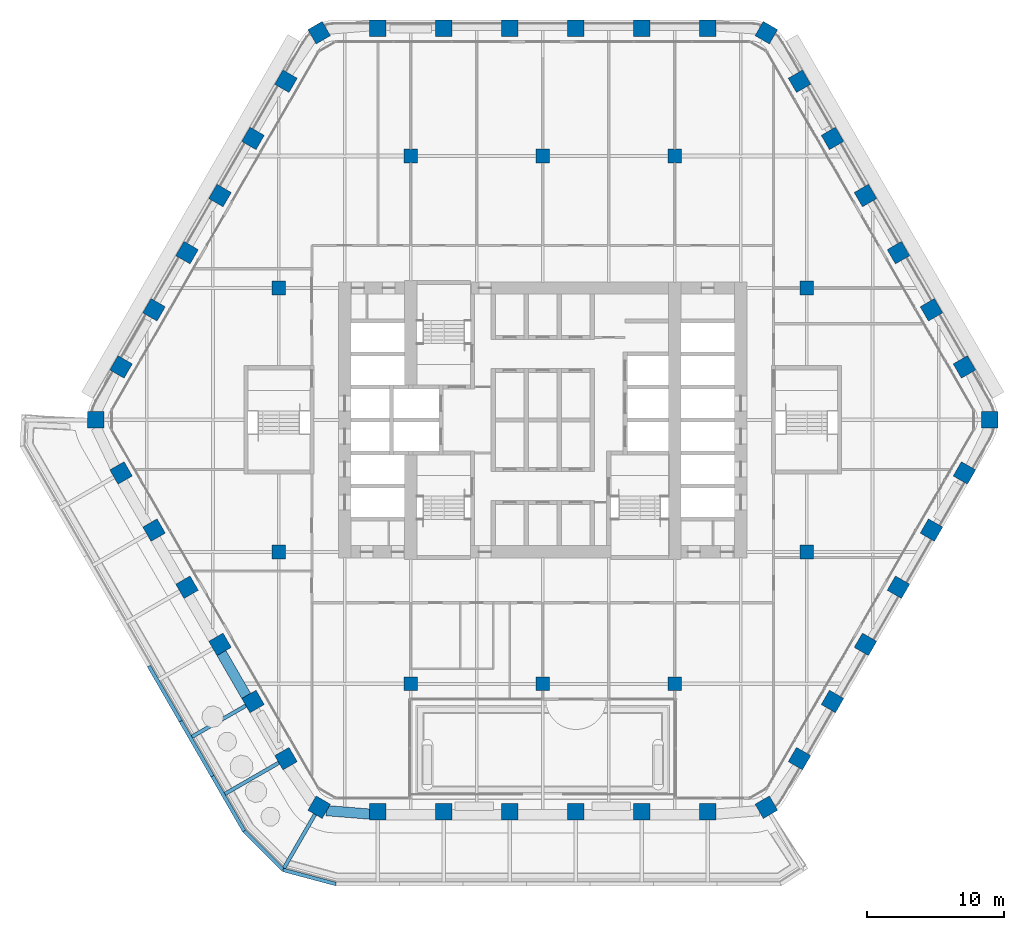
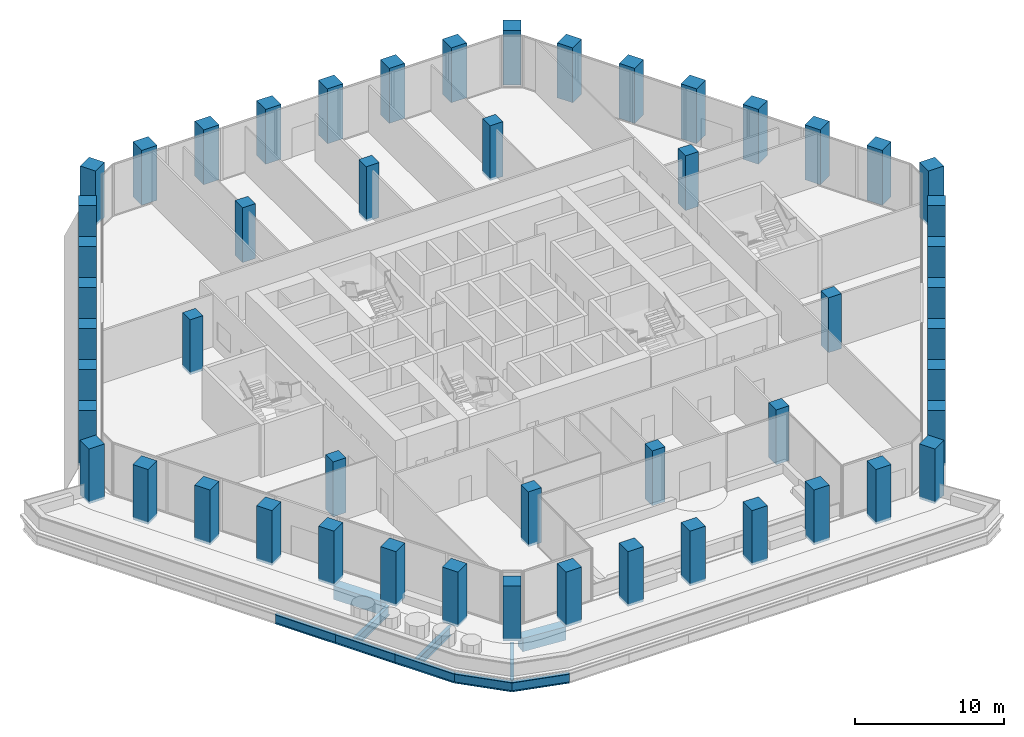
# One storey, part 1 of 27: 52 columns, 10 beams.
"""IFC4 building model written with IfcOpenShell, lengths in metres."""

from ifc_helpers import new_model, si_unit, direction, frame, origin, origin_2d, place, context, subcontext, project, spatial, rectangle, i_section, extrude, material, material_profile, profile_set, type_object, element, save


model = new_model("IFC4")

# Units and contexts
model_context = context("Model", 3, precision=1e-05, world=origin(), true_north=direction((0.0, 1.0)))
body_context = subcontext(model_context, "Body", "Model", "MODEL_VIEW")
ifc_project = project(units=[si_unit("LENGTHUNIT", "METRE"), si_unit("AREAUNIT", "SQUARE_METRE"), si_unit("VOLUMEUNIT", "CUBIC_METRE"), si_unit("PLANEANGLEUNIT", "RADIAN"), si_unit("MASSUNIT", "GRAM", prefix="KILO")], contexts=[model_context])

# Site, building, storey
site_placement = place(None, origin())
site = spatial("IfcSite", under=ifc_project, at=site_placement, CompositionType="ELEMENT")
building_placement = place(site_placement, origin())
building = spatial("IfcBuilding", under=site, at=building_placement, Name="Kolab Exchange Tower", CompositionType="ELEMENT")
storey_placement = place(building_placement, frame((0.0, 0.0, 109.39990234375)))
storey = spatial("IfcBuildingStorey", under=building, at=storey_placement, Name="L21", CompositionType="ELEMENT", Elevation=109.39990234375)

# Columns
ifc_material_1 = material(Name="Concrete C70/85", Category="concrete")
ifc_material_profile_1 = material_profile(ifc_material_1, rectangle(XDim=1.0, YDim=1.0, at=origin_2d()), Name="RC1000")
ifc_profile_set_1 = profile_set([ifc_material_profile_1], Name="Concrete C70/85")
column_type_1 = type_object("IfcColumnType", Name="INTERIOR COLUMN 1000 SQ C70/85", PredefinedType="COLUMN", material=ifc_profile_set_1)
for number, where, z_axis, x_axis, name in (
    (1, (-19.199951171875, -9.60009765625, -0.199951171875), (0.0, 0.0, 1.0), (1.0, 0.0, 0.0), "col/L21/I-I9"),
    (2, (-19.199951171875, 9.60009765625, -0.199951171875), (0.0, 0.0, 1.0), (1.0, 0.0, 0.0), "col/L21/I-I13"),
    (3, (-9.60009765625, -19.199951171875, -0.199951171875), (0.0, 0.0, 1.0), (1.0, 0.0, 0.0), "col/L21/I-K7"),
    (4, (-9.60009765625, 19.199951171875, -0.199951171875), (0.0, 0.0, 1.0), (1.0, 0.0, 0.0), "col/L21/I-K15"),
    (5, (0.0, -19.199951171875, -0.199951171875), (0.0, 0.0, 1.0), (1.0, 0.0, 0.0), "col/L21/I-M7"),
    (6, (0.0, 19.199951171875, -0.199951171875), (0.0, 0.0, 1.0), (1.0, 0.0, 0.0), "col/L21/I-M15"),
    (7, (9.60009765625, -19.199951171875, -0.199951171875), (0.0, 0.0, 1.0), (1.0, 0.0, 0.0), "col/L21/I-O7"),
    (8, (9.60009765625, 19.199951171875, -0.199951171875), (0.0, 0.0, 1.0), (1.0, 0.0, 0.0), "col/L21/I-O15"),
    (9, (19.199951171875, -9.60009765625, -0.199951171875), (0.0, 0.0, 1.0), (1.0, 0.0, 0.0), "col/L21/I-Q9"),
    (10, (19.199951171875, 9.60009765625, -0.199951171875), (0.0, 0.0, 1.0), (1.0, 0.0, 0.0), "col/L21/I-Q13"),
):
    element("IfcColumn", number, at=place(storey_placement, frame(where, z_axis=z_axis, x_axis=x_axis)), inside=storey, type_object=column_type_1, Name=name, PredefinedType="COLUMN", context=body_context, shape_type="SweptSolid", body=[
        extrude(rectangle(XDim=1.0, YDim=1.0, at=origin_2d()), origin(), (0.0, 0.0, 1.0), 4.5),
    ])
ifc_material_profile_2 = material_profile(ifc_material_1, rectangle(XDim=1.199951171875, YDim=1.199951171875, at=origin_2d()), Name="RC1200")
ifc_profile_set_2 = profile_set([ifc_material_profile_2], Name="Concrete C70/85")
column_type_2 = type_object("IfcColumnType", Name="PERIMETER COLUMN 1200 SQ C70/85", PredefinedType="COLUMN", material=ifc_profile_set_2)
for number, where, z_axis, x_axis, name in (
    (11, (-16.26806640625, 28.177001953125, -0.199951171875), (0.0, 0.0, 1.0), (0.866025403784, 0.5, 0.0), "col/L21/F1-01"),
    (12, (-12.0, 28.49853515625, -0.199951171875), (0.0, 0.0, 1.0), (1.0, 0.0, 0.0), "col/L21/F1-02"),
    (13, (-7.199951171875, 28.49853515625, -0.199951171875), (0.0, 0.0, 1.0), (1.0, 0.0, 0.0), "col/L21/F1-03"),
    (14, (-2.39990234375, 28.49853515625, -0.199951171875), (0.0, 0.0, 1.0), (1.0, 0.0, 0.0), "col/L21/F1-04"),
    (15, (2.39990234375, 28.49853515625, -0.199951171875), (0.0, 0.0, 1.0), (1.0, 0.0, 0.0), "col/L21/F1-05"),
    (16, (7.199951171875, 28.49853515625, -0.199951171875), (0.0, 0.0, 1.0), (1.0, 0.0, 0.0), "col/L21/F1-06"),
    (17, (12.0, 28.49853515625, -0.199951171875), (0.0, 0.0, 1.0), (1.0, 0.0, 0.0), "col/L21/F1-07"),
    (18, (16.26806640625, 28.177001953125, -0.199951171875), (0.0, 0.0, 1.0), (0.5, 0.866025403784, 0.0), "col/L21/F2-01"),
    (19, (18.680419921875, 24.6416015625, -0.199951171875), (0.0, 0.0, 1.0), (0.866025403784, 0.5, 0.0), "col/L21/F2-02"),
    (20, (21.080322265625, 20.484619140625, -0.199951171875), (0.0, 0.0, 1.0), (0.866025403784, 0.5, 0.0), "col/L21/F2-03"),
    (21, (23.48046875, 16.32763671875, -0.199951171875), (0.0, 0.0, 1.0), (0.866025403784, 0.5, 0.0), "col/L21/F2-04"),
    (22, (25.88037109375, 12.170654296875, -0.199951171875), (0.0, 0.0, 1.0), (0.866025403784, 0.5, 0.0), "col/L21/F2-05"),
    (23, (28.2802734375, 8.013916015625, -0.199951171875), (0.0, 0.0, 1.0), (0.866025403784, 0.5, 0.0), "col/L21/F2-06"),
    (24, (30.680419921875, 3.85693359375, -0.199951171875), (0.0, 0.0, 1.0), (0.866025403784, 0.5, 0.0), "col/L21/F2-07"),
    (25, (32.535888671875, 0.0, -0.199951171875), (0.0, 0.0, 1.0), (1.0, 0.0, 0.0), "col/L21/F3-01"),
    (26, (30.680419921875, -3.85693359375, -0.199951171875), (0.0, 0.0, 1.0), (0.5, 0.866025403784, 0.0), "col/L21/F3-02"),
    (27, (28.2802734375, -8.013916015625, -0.199951171875), (0.0, 0.0, 1.0), (0.5, 0.866025403784, 0.0), "col/L21/F3-03"),
    (28, (25.88037109375, -12.170654296875, -0.199951171875), (0.0, 0.0, 1.0), (0.5, 0.866025403784, 0.0), "col/L21/F3-04"),
    (29, (23.48046875, -16.32763671875, -0.199951171875), (0.0, 0.0, 1.0), (0.5, 0.866025403784, 0.0), "col/L21/F3-05"),
    (30, (21.080322265625, -20.484619140625, -0.199951171875), (0.0, 0.0, 1.0), (0.5, 0.866025403784, 0.0), "col/L21/F3-06"),
    (31, (18.680419921875, -24.6416015625, -0.199951171875), (0.0, 0.0, 1.0), (0.5, 0.866025403784, 0.0), "col/L21/F3-07"),
    (32, (16.26806640625, -28.177001953125, -0.199951171875), (0.0, 0.0, 1.0), (0.866025403784, 0.5, 0.0), "col/L21/F4-01"),
    (33, (12.0, -28.49853515625, -0.199951171875), (0.0, 0.0, 1.0), (1.0, 0.0, 0.0), "col/L21/F4-02"),
    (34, (7.199951171875, -28.49853515625, -0.199951171875), (0.0, 0.0, 1.0), (1.0, 0.0, 0.0), "col/L21/F4-03"),
    (35, (2.39990234375, -28.49853515625, -0.199951171875), (0.0, 0.0, 1.0), (1.0, 0.0, 0.0), "col/L21/F4-04"),
    (36, (-2.39990234375, -28.49853515625, -0.199951171875), (0.0, 0.0, 1.0), (1.0, 0.0, 0.0), "col/L21/F4-05"),
    (37, (-7.199951171875, -28.49853515625, -0.199951171875), (0.0, 0.0, 1.0), (1.0, 0.0, 0.0), "col/L21/F4-06"),
    (38, (-12.0, -28.49853515625, -0.199951171875), (0.0, 0.0, 1.0), (1.0, 0.0, 0.0), "col/L21/F4-07"),
    (39, (-16.26806640625, -28.177001953125, -0.199951171875), (0.0, 0.0, 1.0), (0.5, 0.866025403784, 0.0), "col/L21/F5-01"),
    (40, (-18.680419921875, -24.6416015625, -0.199951171875), (0.0, 0.0, 1.0), (0.866025403784, 0.5, 0.0), "col/L21/F5-02"),
    (41, (-21.080322265625, -20.484619140625, -0.199951171875), (0.0, 0.0, 1.0), (0.866025403784, 0.5, 0.0), "col/L21/F5-03"),
    (42, (-23.48046875, -16.32763671875, -0.199951171875), (0.0, 0.0, 1.0), (0.866025403784, 0.5, 0.0), "col/L21/F5-04"),
    (43, (-25.88037109375, -12.170654296875, -0.199951171875), (0.0, 0.0, 1.0), (0.866025403784, 0.5, 0.0), "col/L21/F5-05"),
    (44, (-28.2802734375, -8.013916015625, -0.199951171875), (0.0, 0.0, 1.0), (0.866025403784, 0.5, 0.0), "col/L21/F5-06"),
    (45, (-30.680419921875, -3.85693359375, -0.199951171875), (0.0, 0.0, 1.0), (0.866025403784, 0.5, 0.0), "col/L21/F5-07"),
    (46, (-32.535888671875, 0.0, -0.199951171875), (0.0, 0.0, 1.0), (1.0, 0.0, 0.0), "col/L21/F6-01"),
    (47, (-30.680419921875, 3.85693359375, -0.199951171875), (0.0, 0.0, 1.0), (0.5, 0.866025403784, 0.0), "col/L21/F6-02"),
    (48, (-28.2802734375, 8.013916015625, -0.199951171875), (0.0, 0.0, 1.0), (0.5, 0.866025403784, 0.0), "col/L21/F6-03"),
    (49, (-25.88037109375, 12.170654296875, -0.199951171875), (0.0, 0.0, 1.0), (0.5, 0.866025403784, 0.0), "col/L21/F6-04"),
    (50, (-23.48046875, 16.32763671875, -0.199951171875), (0.0, 0.0, 1.0), (0.5, 0.866025403784, 0.0), "col/L21/F6-05"),
    (51, (-21.080322265625, 20.484619140625, -0.199951171875), (0.0, 0.0, 1.0), (0.5, 0.866025403784, 0.0), "col/L21/F6-06"),
    (52, (-18.680419921875, 24.6416015625, -0.199951171875), (0.0, 0.0, 1.0), (0.5, 0.866025403784, 0.0), "col/L21/F6-07"),
):
    element("IfcColumn", number, at=place(storey_placement, frame(where, z_axis=z_axis, x_axis=x_axis)), inside=storey, type_object=column_type_2, Name=name, PredefinedType="COLUMN", context=body_context, shape_type="SweptSolid", body=[
        extrude(rectangle(XDim=1.199951171875, YDim=1.199951171875, at=origin_2d()), origin(), (0.0, 0.0, 1.0), 4.5),
    ])

# Beams
ifc_material_2 = material(Name="Steel S355", Category="steel")
ifc_material_profile_3 = material_profile(ifc_material_2, i_section(OverallWidth=0.26708984375, OverallDepth=0.761962890625, WebThickness=0.014404296875, FlangeThickness=0.021484375, at=origin_2d()), Name="W760X173")
ifc_profile_set_3 = profile_set([ifc_material_profile_3], Name="Steel S355")
beam_type_1 = type_object("IfcBeamType", Name="FLOOR GIRDER W760X173", PredefinedType="BEAM", material=ifc_profile_set_3)
for number, where, z_axis, x_axis, name in (
    (53, (-16.56787109375, -28.696533203125, -0.640869140625), (-0.500008388397, -0.866020560687, 0.0), (0.866020560687, -0.500008388397, 0.0), "beam/L21/ledge/rib-07"),
    (54, (-19.199951171875, -24.94140625, -0.640869140625), (-0.866020560687, -0.500008388397, 0.0), (0.500008388397, -0.866020560687, 0.0), "beam/L21/ledge/rib-08"),
):
    element("IfcBeam", number, at=place(storey_placement, frame(where, z_axis=z_axis, x_axis=x_axis)), inside=storey, type_object=beam_type_1, Name=name, PredefinedType="BEAM", context=body_context, shape_type="SweptSolid", body=[
        extrude(i_section(OverallWidth=0.26708984375, OverallDepth=0.761962890625, WebThickness=0.014404296875, FlangeThickness=0.021484375, at=origin_2d()), origin(), (0.0, 0.0, 1.0), 4.533203125),
    ])
beam_1_placement = place(storey_placement, frame((-21.60009765625, -20.78466796875, -0.640869140625), z_axis=(-0.866030417568, -0.499991315771, 0.0), x_axis=(0.499991315771, -0.866030417568, 0.0)))
element("IfcBeam", 55, at=beam_1_placement, inside=storey, type_object=beam_type_1, Name="beam/L21/ledge/rib-09", PredefinedType="BEAM", context=body_context, shape_type="SweptSolid", body=[
    extrude(i_section(OverallWidth=0.26708984375, OverallDepth=0.761962890625, WebThickness=0.014404296875, FlangeThickness=0.021484375, at=origin_2d()), origin(), (0.0, 0.0, 1.0), 4.53271484375),
])
beam_2_placement = place(storey_placement, frame((-15.05029296875, -33.764892578125, -0.640869140625), z_axis=(-0.965936290682, 0.258779988299, 0.0), x_axis=(-0.258779988299, -0.965936290682, 0.0)))
element("IfcBeam", 56, at=beam_2_placement, inside=storey, type_object=beam_type_1, Name="beam/L21/ledge/edge-08", PredefinedType="BEAM", context=body_context, shape_type="SweptSolid", body=[
    extrude(i_section(OverallWidth=0.26708984375, OverallDepth=0.761962890625, WebThickness=0.014404296875, FlangeThickness=0.021484375, at=origin_2d()), origin(), (0.0, 0.0, 1.0), 3.984130859375),
])
beam_3_placement = place(storey_placement, frame((-18.898681640625, -32.73388671875, -0.640869140625), z_axis=(-0.707106781187, 0.707106781187, 0.0), x_axis=(-0.707106781187, -0.707106781187, 0.0)))
element("IfcBeam", 57, at=beam_3_placement, inside=storey, type_object=beam_type_1, Name="beam/L21/ledge/edge-09", PredefinedType="BEAM", context=body_context, shape_type="SweptSolid", body=[
    extrude(i_section(OverallWidth=0.26708984375, OverallDepth=0.761962890625, WebThickness=0.014404296875, FlangeThickness=0.021484375, at=origin_2d()), origin(), (0.0, 0.0, 1.0), 3.984375),
])
beam_4_placement = place(storey_placement, frame((-21.716064453125, -29.91650390625, -0.640869140625), z_axis=(-0.499978438088, 0.866037852202, 0.0), x_axis=(-0.866037852202, -0.499978438088, 0.0)))
element("IfcBeam", 58, at=beam_4_placement, inside=storey, type_object=beam_type_1, Name="beam/L21/ledge/edge-10", PredefinedType="BEAM", context=body_context, shape_type="SweptSolid", body=[
    extrude(i_section(OverallWidth=0.26708984375, OverallDepth=0.761962890625, WebThickness=0.014404296875, FlangeThickness=0.021484375, at=origin_2d()), origin(), (0.0, 0.0, 1.0), 4.623291015625),
])
for number, where, z_axis, x_axis, name in (
    (59, (-24.027587890625, -25.91259765625, -0.640869140625), (-0.500040910048, 0.866001783069, 0.0), (-0.866001783069, -0.500040910048, 0.0), "beam/L21/ledge/edge-11"),
    (60, (-26.33935546875, -21.908935546875, -0.640869140625), (-0.500001304485, 0.866024650639, 0.0), (-0.866024650639, -0.500001304485, 0.0), "beam/L21/ledge/edge-12"),
):
    element("IfcBeam", number, at=place(storey_placement, frame(where, z_axis=z_axis, x_axis=x_axis)), inside=storey, type_object=beam_type_1, Name=name, PredefinedType="BEAM", context=body_context, shape_type="SweptSolid", body=[
        extrude(i_section(OverallWidth=0.26708984375, OverallDepth=0.761962890625, WebThickness=0.014404296875, FlangeThickness=0.021484375, at=origin_2d()), origin(), (0.0, 0.0, 1.0), 4.623046875),
    ])
ifc_material_profile_4 = material_profile(ifc_material_1, rectangle(XDim=0.75, YDim=1.10009765625, at=origin_2d()), Name="RC750X1100")
ifc_profile_set_4 = profile_set([ifc_material_profile_4], Name="Concrete C70/85")
beam_type_2 = type_object("IfcBeamType", Name="SPANDREL BEAM 750X1100 C70/85", PredefinedType="BEAM", material=ifc_profile_set_4)
beam_5_placement = place(storey_placement, frame((-12.56005859375, -28.678466796875, -0.75), z_axis=(-0.996791038408, 0.080047646748, 0.0), x_axis=(-0.080047646748, -0.996791038408, 0.0)))
element("IfcBeam", 61, at=beam_5_placement, inside=storey, type_object=beam_type_2, Name="beam/L21/sp/F4-07", PredefinedType="BEAM", context=body_context, shape_type="SweptSolid", body=[
    extrude(rectangle(XDim=0.75, YDim=1.10009765625, at=origin_2d()), origin(), (0.0, 0.0, 1.0), 3.20849609375),
])
beam_6_placement = place(storey_placement, frame((-21.55517578125, -20.112060546875, -0.75), z_axis=(-0.500013413428, 0.866017659399, 0.0), x_axis=(-0.866017659399, -0.500013413428, 0.0)))
element("IfcBeam", 62, at=beam_6_placement, inside=storey, type_object=beam_type_2, Name="beam/L21/sp/F5-03", PredefinedType="BEAM", context=body_context, shape_type="SweptSolid", body=[
    extrude(rectangle(XDim=0.75, YDim=1.10009765625, at=origin_2d()), origin(), (0.0, 0.0, 1.0), 3.68017578125),
])

save(model, "model.ifc")
